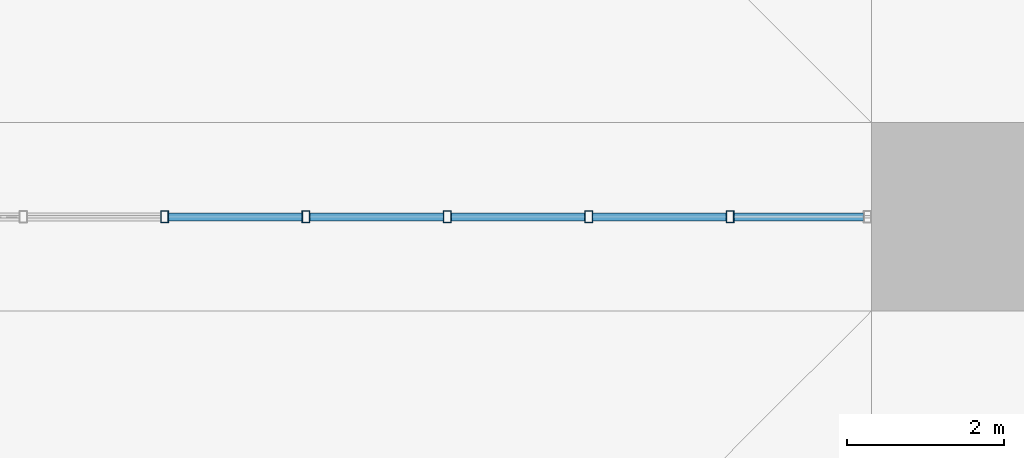
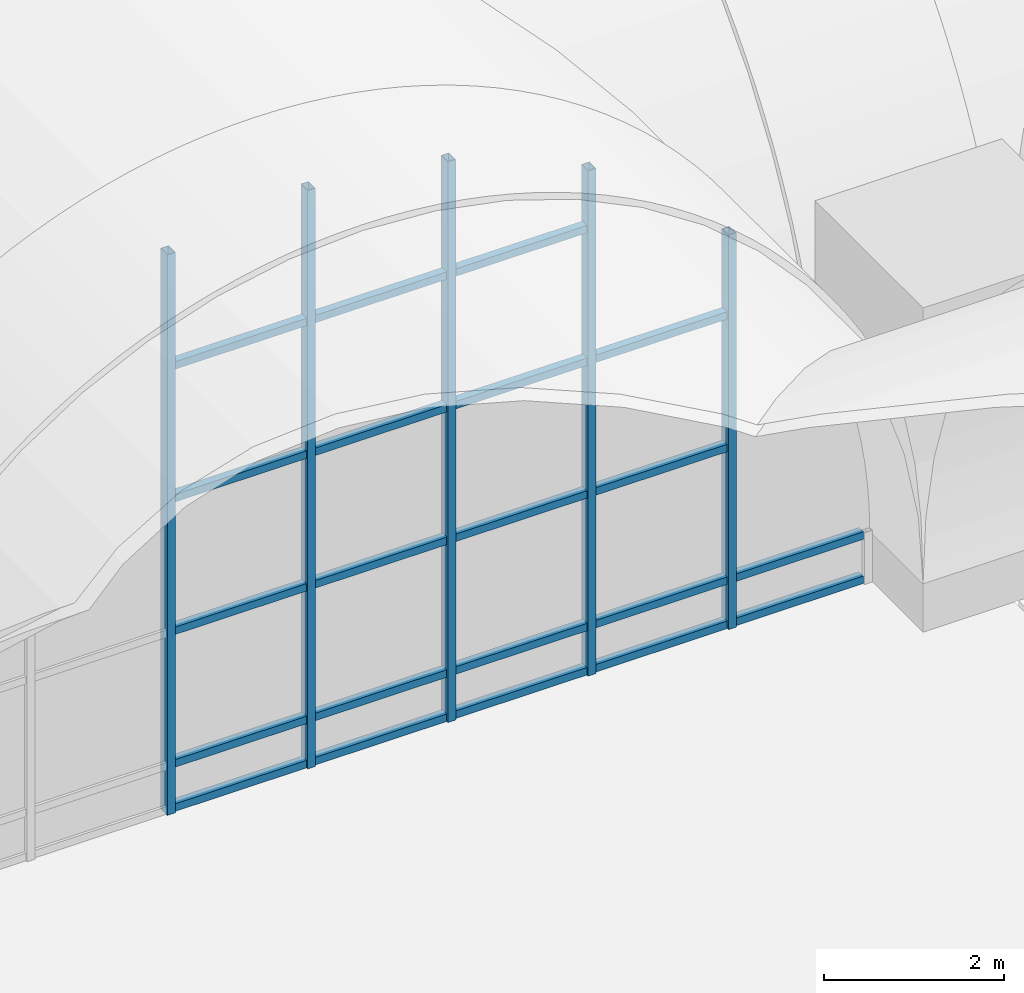
# One storey, part 25 of 169: 26 members, 1 element without a shape of its own.
"""IFC4 building model written with IfcOpenShell, lengths in metres."""

import ifcopenshell
import ifcopenshell.guid

model = None  # the IFC model being written
_history = None  # IfcOwnerHistory: only IFC2X3 demands one
_inside = {}  # id of a spatial element -> (the spatial element, [elements in it])
_under = {}  # id of a project, library or spatial element -> (it, [spatial elements below it])
_declared = {}  # id of a project -> (the project, [libraries it declares])
_typed = {}  # id of a type object -> (the type object, [elements of that type])
_made_of = {}  # id of a material, layer set ... -> (it, [elements and type objects made of it])


def new_model(schema):
    """Start an empty IFC model of exactly this schema.

    Asked for "IFC4X3", IfcOpenShell would pick the latest addendum, in which some entities
    have other attributes; the version numbers below select the first issue.
    IFC2X3 requires an IfcOwnerHistory on every rooted entity: one is made here for all.
    """
    global model, _history
    if schema == "IFC4X3":
        model = ifcopenshell.file(schema_version=(4, 3, 0, 0))
    else:
        model = ifcopenshell.file(schema=schema)
    _inside.clear()
    _under.clear()
    _declared.clear()
    _typed.clear()
    _made_of.clear()
    _history = None
    if model.schema == "IFC2X3":
        org = make("IfcOrganization", Name="unknown")
        user = make(
            "IfcPersonAndOrganization",
            ThePerson=make("IfcPerson", FamilyName="unknown"),
            TheOrganization=org,
        )
        app = make(
            "IfcApplication",
            ApplicationDeveloper=org,
            Version="unknown",
            ApplicationFullName="unknown",
            ApplicationIdentifier="unknown",
        )
        _history = make(
            "IfcOwnerHistory",
            OwningUser=user,
            OwningApplication=app,
            ChangeAction="ADDED",
            CreationDate=0,
        )
    return model


def make(cls, **values):
    """One entity of the class cls with the attributes given. An attribute that is None is left unset."""
    return model.create_entity(
        cls, **{name: value for name, value in values.items() if value is not None}
    )


def rooted(cls, **values):
    """An entity with a GlobalId (a new one), such as an element, a storey or a relation."""
    return make(cls, GlobalId=ifcopenshell.guid.new(), OwnerHistory=_history, **values)


def si_unit(unit_type, name, prefix=None):
    """IfcSIUnit, for example si_unit("LENGTHUNIT", "METRE", prefix="MILLI")."""
    return make("IfcSIUnit", UnitType=unit_type, Prefix=prefix, Name=name)


def assignment(units):
    """IfcUnitAssignment: the units of a project."""
    return None if units is None else make("IfcUnitAssignment", Units=units)


def point(xyz):
    """IfcCartesianPoint."""
    return None if xyz is None else make("IfcCartesianPoint", Coordinates=xyz)


def direction(xyz):
    """IfcDirection."""
    return None if xyz is None else make("IfcDirection", DirectionRatios=xyz)


def frame(location, z_axis=None, x_axis=None):
    """IfcAxis2Placement3D, a coordinate frame: its origin and axes. An axis left out is left unset."""
    return make(
        "IfcAxis2Placement3D",
        Location=point(location),
        Axis=direction(z_axis),
        RefDirection=direction(x_axis),
    )


def frame_2d(location, x_axis=None):
    """IfcAxis2Placement2D, a coordinate frame in the plane: its origin and x axis."""
    return make(
        "IfcAxis2Placement2D", Location=point(location), RefDirection=direction(x_axis)
    )


def origin():
    """The frame at (0, 0, 0) with its axes left unset."""
    return frame((0.0, 0.0, 0.0))


def origin_2d():
    """The frame at (0, 0) in the plane with its x axis left unset."""
    return frame_2d((0.0, 0.0))


def place(relative_to, where):
    """IfcLocalPlacement: puts the frame where relative to a parent placement (None: the world)."""
    return make(
        "IfcLocalPlacement", PlacementRelTo=relative_to, RelativePlacement=where
    )


def context(
    kind, dimensions, precision=None, world=None, true_north=None, identifier=None
):
    """IfcGeometricRepresentationContext, for example the 3D "Model" context."""
    return make(
        "IfcGeometricRepresentationContext",
        ContextIdentifier=identifier,
        ContextType=kind,
        CoordinateSpaceDimension=dimensions,
        Precision=precision,
        WorldCoordinateSystem=world,
        TrueNorth=true_north,
    )


def subcontext(parent, identifier, kind, view, scale=None):
    """IfcGeometricRepresentationSubContext, for example "Body" below "Model"."""
    return make(
        "IfcGeometricRepresentationSubContext",
        ContextIdentifier=identifier,
        ContextType=kind,
        ParentContext=parent,
        TargetScale=scale,
        TargetView=view,
    )


def project(units=None, contexts=None):
    """IfcProject with its units and contexts."""
    return rooted(
        "IfcProject",
        Name="project",
        RepresentationContexts=contexts,
        UnitsInContext=assignment(units),
    )


def spatial(cls, under=None, at=None, **own):
    """A site, building, storey or space (cls), placed at a placement, below another one or the project."""
    s = rooted(cls, ObjectPlacement=at, **own)
    if under is not None:
        _under.setdefault(under.id(), (under, []))[1].append(s)
    return s


def profile(cls, at=None, kind="AREA", **sizes):
    """A parametric profile (cls). Its sizes go by their IFC names, for example OverallWidth=200.0."""
    return make(cls, ProfileType=kind, Position=at, **sizes)


def hollow_rectangle(**sizes):
    """IfcRectangleHollowProfileDef."""
    return profile("IfcRectangleHollowProfileDef", **sizes)


def extrude(swept, where, along, depth):
    """IfcExtrudedAreaSolid: the profile swept, set in the frame where, extruded along a direction by depth."""
    return make(
        "IfcExtrudedAreaSolid",
        SweptArea=swept,
        Position=where,
        ExtrudedDirection=direction(along),
        Depth=depth,
    )


def shape(context_of_items, identifier, shape_type, items):
    """IfcShapeRepresentation: the items that make up one representation, for example the "Body"."""
    return make(
        "IfcShapeRepresentation",
        ContextOfItems=context_of_items,
        RepresentationIdentifier=identifier,
        RepresentationType=shape_type,
        Items=items,
    )


def material(Name=None, Category=None):
    """IfcMaterial."""
    return make("IfcMaterial", Name=Name, Category=Category)


def layer(
    of_material, thickness, ventilated=None, Name=None, Category=None, Priority=None
):
    """IfcMaterialLayer: one layer of a wall or slab, of a material (None: an air gap)."""
    return make(
        "IfcMaterialLayer",
        Material=of_material,
        LayerThickness=thickness,
        IsVentilated=ventilated,
        Name=Name,
        Category=Category,
        Priority=Priority,
    )


def layer_set(layers, Name=None):
    """IfcMaterialLayerSet."""
    return make("IfcMaterialLayerSet", MaterialLayers=layers, LayerSetName=Name)


def material_profile(
    of_material, cross_section, Name=None, Category=None, Priority=None
):
    """IfcMaterialProfile: a cross section and its material."""
    return make(
        "IfcMaterialProfile",
        Name=Name,
        Material=of_material,
        Profile=cross_section,
        Priority=Priority,
        Category=Category,
    )


def profile_set(profiles, Name=None, composite=None):
    """IfcMaterialProfileSet."""
    return make(
        "IfcMaterialProfileSet",
        Name=Name,
        MaterialProfiles=profiles,
        CompositeProfile=composite,
    )


def made_of(thing, what):
    """Note that an element or type object is made of a material, layer set ...; save() writes the relation."""
    if what is not None:
        _made_of.setdefault(what.id(), (what, []))[1].append(thing)
    return thing


def type_object(cls, material=None, **own):
    """A type object (cls), such as IfcWallType, which elements share."""
    return made_of(rooted(cls, **own), material)


def element(
    cls,
    number,
    at=None,
    inside=None,
    cuts=None,
    type_object=None,
    material=None,
    context=None,
    identifier="Body",
    shape_type=None,
    held_by="IfcProductDefinitionShape",
    body=None,
    shapes=None,
    **own,
):
    """One element of the class cls, such as IfcWall. Its Tag is "e" and its number.

    at: its placement. inside: the storey or other place that contains it. cuts: it is an
    opening in that element (IfcRelVoidsElement). A single representation is given by context,
    identifier, shape_type and body (its items); several are given by shapes. held_by: the class
    of the entity that holds the representations. save() writes the other relations.
    """
    e = rooted(cls, Tag="e%d" % number, ObjectPlacement=at, **own)
    if body is not None:
        shapes = [shape(context, identifier, shape_type, body)]
    if shapes is not None:
        e.Representation = make(held_by, Representations=shapes)
    if inside is not None:
        _inside.setdefault(inside.id(), (inside, []))[1].append(e)
    if cuts is not None:
        rooted(
            "IfcRelVoidsElement", RelatingBuildingElement=cuts, RelatedOpeningElement=e
        )
    if type_object is not None:
        _typed.setdefault(type_object.id(), (type_object, []))[1].append(e)
    return made_of(e, material)


def aggregate(whole, parts):
    """IfcRelAggregates: a whole, such as a stair, and the parts it consists of."""
    return rooted("IfcRelAggregates", RelatingObject=whole, RelatedObjects=parts)


def save(model, path):
    """Write the relations noted so far, then the file.

    IfcRelAggregates (storeys below a building ...), IfcRelContainedInSpatialStructure (elements
    in a storey), IfcRelDefinesByType, IfcRelAssociatesMaterial and IfcRelDeclares: one each for
    every whole, place, type object, material and project.
    """
    for whole, parts in _under.values():
        aggregate(whole, parts)
    for where, things in _inside.values():
        rooted(
            "IfcRelContainedInSpatialStructure",
            RelatedElements=things,
            RelatingStructure=where,
        )
    for kind, things in _typed.values():
        rooted("IfcRelDefinesByType", RelatedObjects=things, RelatingType=kind)
    for what, things in _made_of.values():
        rooted("IfcRelAssociatesMaterial", RelatedObjects=things, RelatingMaterial=what)
    for by, libraries in _declared.values():
        rooted("IfcRelDeclares", RelatingContext=by, RelatedDefinitions=libraries)
    model.write(path)


model = new_model("IFC4")

# Units and contexts
model_context = context("Model", 3, precision=1e-05, world=origin(), true_north=direction((0.0, 1.0)))
body_context = subcontext(model_context, "Body", "Model", "MODEL_VIEW")
ifc_project = project(units=[si_unit("LENGTHUNIT", "METRE"), si_unit("AREAUNIT", "SQUARE_METRE"), si_unit("VOLUMEUNIT", "CUBIC_METRE"), si_unit("PLANEANGLEUNIT", "RADIAN"), si_unit("MASSUNIT", "GRAM", prefix="KILO")], contexts=[model_context])

# Site, building, storey
site_placement = place(None, origin())
site = spatial("IfcSite", under=ifc_project, at=site_placement, CompositionType="ELEMENT")
building_placement = place(site_placement, origin())
building = spatial("IfcBuilding", under=site, at=building_placement, Name="Verrick Yard Athletic Hall", CompositionType="ELEMENT")
storey_placement = place(building_placement, frame((0.0, 0.0, 4.39990234375)))
storey = spatial("IfcBuildingStorey", under=building, at=storey_placement, Name="L01", CompositionType="ELEMENT", Elevation=4.39990234375)

# Curtain wall, members
ifc_material_1 = material(Name="Aluminium and glass curtain wall", Category="aluminium")
ifc_layer = layer(ifc_material_1, 0.14990234375)
ifc_layer_set = layer_set([ifc_layer], Name="Concourse arch screen")
curtain_wall_type = type_object("IfcCurtainWallType", Name="Concourse arch screen", PredefinedType="NOTDEFINED", material=ifc_layer_set)
curtain_wall_placement = place(storey_placement, origin())
curtain_wall = element("IfcCurtainWall", 1, at=curtain_wall_placement, inside=storey, type_object=curtain_wall_type, Name="Concourse screen 2", PredefinedType="NOTDEFINED")
ifc_material_2 = material(Name="Structural steel HSS Class C 350W (CSA G40.20/G40.21)", Category="steel")
ifc_material_profile_1 = material_profile(ifc_material_2, hollow_rectangle(XDim=0.1015625, YDim=0.15234375, WallThickness=0.008056640625, at=origin_2d()), Name="HSS152x102x7.9")
ifc_profile_set_1 = profile_set([ifc_material_profile_1], Name="Structural steel HSS Class C 350W (CSA G40.20/G40.21)")
member_type_1 = type_object("IfcMemberType", Name="Curtain wall mullion HSS152x102x7.9", PredefinedType="MULLION", material=ifc_profile_set_1)
member_1_placement = place(storey_placement, frame((63.39990234375, 36.0, 0.0), z_axis=(0.0, 0.0, 1.0), x_axis=(1.0, 0.0, 0.0)))
member_1 = element("IfcMember", 2, at=member_1_placement, type_object=member_type_1, Name="Concourse screen 2 mullion 4", PredefinedType="MULLION", context=body_context, shape_type="SweptSolid", body=[
    extrude(hollow_rectangle(XDim=0.1015625, YDim=0.15234375, WallThickness=0.008056640625, at=origin_2d()), origin(), (0.0, 0.0, 1.0), 7.607666015625),
])
member_2_placement = place(storey_placement, frame((65.199951171875, 36.0, 0.0), z_axis=(0.0, 0.0, 1.0), x_axis=(1.0, 0.0, 0.0)))
member_2 = element("IfcMember", 3, at=member_2_placement, type_object=member_type_1, Name="Concourse screen 2 mullion 5", PredefinedType="MULLION", context=body_context, shape_type="SweptSolid", body=[
    extrude(hollow_rectangle(XDim=0.1015625, YDim=0.15234375, WallThickness=0.008056640625, at=origin_2d()), origin(), (0.0, 0.0, 1.0), 7.8486328125),
])
member_3_placement = place(storey_placement, frame((67.0, 36.0, 0.0), z_axis=(0.0, 0.0, 1.0), x_axis=(1.0, 0.0, 0.0)))
member_3 = element("IfcMember", 4, at=member_3_placement, type_object=member_type_1, Name="Concourse screen 2 mullion 6", PredefinedType="MULLION", context=body_context, shape_type="SweptSolid", body=[
    extrude(hollow_rectangle(XDim=0.1015625, YDim=0.15234375, WallThickness=0.008056640625, at=origin_2d()), origin(), (0.0, 0.0, 1.0), 7.607666015625),
])
member_4_placement = place(storey_placement, frame((68.800048828125, 36.0, 0.0), z_axis=(0.0, 0.0, 1.0), x_axis=(1.0, 0.0, 0.0)))
member_4 = element("IfcMember", 5, at=member_4_placement, type_object=member_type_1, Name="Concourse screen 2 mullion 7", PredefinedType="MULLION", context=body_context, shape_type="SweptSolid", body=[
    extrude(hollow_rectangle(XDim=0.1015625, YDim=0.15234375, WallThickness=0.008056640625, at=origin_2d()), origin(), (0.0, 0.0, 1.0), 6.8544921875),
])
member_5_placement = place(storey_placement, frame((70.60009765625, 36.0, 0.0), z_axis=(0.0, 0.0, 1.0), x_axis=(1.0, 0.0, 0.0)))
member_5 = element("IfcMember", 6, at=member_5_placement, type_object=member_type_1, Name="Concourse screen 2 mullion 8", PredefinedType="MULLION", context=body_context, shape_type="SweptSolid", body=[
    extrude(hollow_rectangle(XDim=0.1015625, YDim=0.15234375, WallThickness=0.008056640625, at=origin_2d()), origin(), (0.0, 0.0, 1.0), 5.351806640625),
])
ifc_material_profile_2 = material_profile(ifc_material_2, hollow_rectangle(XDim=0.1015625, YDim=0.1015625, WallThickness=0.00634765625, at=origin_2d()), Name="HSS102x102x6.4")
ifc_profile_set_2 = profile_set([ifc_material_profile_2], Name="Structural steel HSS Class C 350W (CSA G40.20/G40.21)")
member_type_2 = type_object("IfcMemberType", Name="Curtain wall transom HSS102x102x6.4", PredefinedType="USERDEFINED", material=ifc_profile_set_2)
member_6_placement = place(storey_placement, frame((63.45068359375, 36.0, 0.05078125), z_axis=(1.0, 0.0, 0.0), x_axis=(0.0, 1.0, 0.0)))
member_6 = element("IfcMember", 7, at=member_6_placement, type_object=member_type_2, Name="Concourse screen 2 transom 12", ObjectType="TRANSOM", PredefinedType="USERDEFINED", context=body_context, shape_type="SweptSolid", body=[
    extrude(hollow_rectangle(XDim=0.1015625, YDim=0.1015625, WallThickness=0.00634765625, at=origin_2d()), origin(), (0.0, 0.0, 1.0), 1.698486328125),
])
member_7_placement = place(storey_placement, frame((63.45068359375, 36.0, 0.650146484375), z_axis=(1.0, 0.0, 0.0), x_axis=(0.0, 1.0, 0.0)))
member_7 = element("IfcMember", 8, at=member_7_placement, type_object=member_type_2, Name="Concourse screen 2 transom 13", ObjectType="TRANSOM", PredefinedType="USERDEFINED", context=body_context, shape_type="SweptSolid", body=[
    extrude(hollow_rectangle(XDim=0.1015625, YDim=0.1015625, WallThickness=0.00634765625, at=origin_2d()), origin(), (0.0, 0.0, 1.0), 1.698486328125),
])
member_8_placement = place(storey_placement, frame((63.45068359375, 36.0, 2.4501953125), z_axis=(1.0, 0.0, 0.0), x_axis=(0.0, 1.0, 0.0)))
member_8 = element("IfcMember", 9, at=member_8_placement, type_object=member_type_2, Name="Concourse screen 2 transom 14", ObjectType="TRANSOM", PredefinedType="USERDEFINED", context=body_context, shape_type="SweptSolid", body=[
    extrude(hollow_rectangle(XDim=0.1015625, YDim=0.1015625, WallThickness=0.00634765625, at=origin_2d()), origin(), (0.0, 0.0, 1.0), 1.698486328125),
])
member_9_placement = place(storey_placement, frame((63.45068359375, 36.0, 4.25), z_axis=(1.0, 0.0, 0.0), x_axis=(0.0, 1.0, 0.0)))
member_9 = element("IfcMember", 10, at=member_9_placement, type_object=member_type_2, Name="Concourse screen 2 transom 15", ObjectType="TRANSOM", PredefinedType="USERDEFINED", context=body_context, shape_type="SweptSolid", body=[
    extrude(hollow_rectangle(XDim=0.1015625, YDim=0.1015625, WallThickness=0.00634765625, at=origin_2d()), origin(), (0.0, 0.0, 1.0), 1.698486328125),
])
member_10_placement = place(storey_placement, frame((63.45068359375, 36.0, 6.050048828125), z_axis=(1.0, 0.0, 0.0), x_axis=(0.0, 1.0, 0.0)))
member_10 = element("IfcMember", 11, at=member_10_placement, type_object=member_type_2, Name="Concourse screen 2 transom 16", ObjectType="TRANSOM", PredefinedType="USERDEFINED", context=body_context, shape_type="SweptSolid", body=[
    extrude(hollow_rectangle(XDim=0.1015625, YDim=0.1015625, WallThickness=0.00634765625, at=origin_2d()), origin(), (0.0, 0.0, 1.0), 1.698486328125),
])
member_11_placement = place(storey_placement, frame((65.250732421875, 36.0, 0.05078125), z_axis=(1.0, 0.0, 0.0), x_axis=(0.0, 1.0, 0.0)))
member_11 = element("IfcMember", 12, at=member_11_placement, type_object=member_type_2, Name="Concourse screen 2 transom 17", ObjectType="TRANSOM", PredefinedType="USERDEFINED", context=body_context, shape_type="SweptSolid", body=[
    extrude(hollow_rectangle(XDim=0.1015625, YDim=0.1015625, WallThickness=0.00634765625, at=origin_2d()), origin(), (0.0, 0.0, 1.0), 1.698486328125),
])
member_12_placement = place(storey_placement, frame((65.250732421875, 36.0, 0.650146484375), z_axis=(1.0, 0.0, 0.0), x_axis=(0.0, 1.0, 0.0)))
member_12 = element("IfcMember", 13, at=member_12_placement, type_object=member_type_2, Name="Concourse screen 2 transom 18", ObjectType="TRANSOM", PredefinedType="USERDEFINED", context=body_context, shape_type="SweptSolid", body=[
    extrude(hollow_rectangle(XDim=0.1015625, YDim=0.1015625, WallThickness=0.00634765625, at=origin_2d()), origin(), (0.0, 0.0, 1.0), 1.698486328125),
])
member_13_placement = place(storey_placement, frame((65.250732421875, 36.0, 2.4501953125), z_axis=(1.0, 0.0, 0.0), x_axis=(0.0, 1.0, 0.0)))
member_13 = element("IfcMember", 14, at=member_13_placement, type_object=member_type_2, Name="Concourse screen 2 transom 19", ObjectType="TRANSOM", PredefinedType="USERDEFINED", context=body_context, shape_type="SweptSolid", body=[
    extrude(hollow_rectangle(XDim=0.1015625, YDim=0.1015625, WallThickness=0.00634765625, at=origin_2d()), origin(), (0.0, 0.0, 1.0), 1.698486328125),
])
member_14_placement = place(storey_placement, frame((65.250732421875, 36.0, 4.25), z_axis=(1.0, 0.0, 0.0), x_axis=(0.0, 1.0, 0.0)))
member_14 = element("IfcMember", 15, at=member_14_placement, type_object=member_type_2, Name="Concourse screen 2 transom 20", ObjectType="TRANSOM", PredefinedType="USERDEFINED", context=body_context, shape_type="SweptSolid", body=[
    extrude(hollow_rectangle(XDim=0.1015625, YDim=0.1015625, WallThickness=0.00634765625, at=origin_2d()), origin(), (0.0, 0.0, 1.0), 1.698486328125),
])
member_15_placement = place(storey_placement, frame((65.250732421875, 36.0, 6.050048828125), z_axis=(1.0, 0.0, 0.0), x_axis=(0.0, 1.0, 0.0)))
member_15 = element("IfcMember", 16, at=member_15_placement, type_object=member_type_2, Name="Concourse screen 2 transom 21", ObjectType="TRANSOM", PredefinedType="USERDEFINED", context=body_context, shape_type="SweptSolid", body=[
    extrude(hollow_rectangle(XDim=0.1015625, YDim=0.1015625, WallThickness=0.00634765625, at=origin_2d()), origin(), (0.0, 0.0, 1.0), 1.698486328125),
])
member_16_placement = place(storey_placement, frame((67.05078125, 36.0, 0.05078125), z_axis=(1.0, 0.0, 0.0), x_axis=(0.0, 1.0, 0.0)))
member_16 = element("IfcMember", 17, at=member_16_placement, type_object=member_type_2, Name="Concourse screen 2 transom 22", ObjectType="TRANSOM", PredefinedType="USERDEFINED", context=body_context, shape_type="SweptSolid", body=[
    extrude(hollow_rectangle(XDim=0.1015625, YDim=0.1015625, WallThickness=0.00634765625, at=origin_2d()), origin(), (0.0, 0.0, 1.0), 1.698486328125),
])
member_17_placement = place(storey_placement, frame((67.05078125, 36.0, 0.650146484375), z_axis=(1.0, 0.0, 0.0), x_axis=(0.0, 1.0, 0.0)))
member_17 = element("IfcMember", 18, at=member_17_placement, type_object=member_type_2, Name="Concourse screen 2 transom 23", ObjectType="TRANSOM", PredefinedType="USERDEFINED", context=body_context, shape_type="SweptSolid", body=[
    extrude(hollow_rectangle(XDim=0.1015625, YDim=0.1015625, WallThickness=0.00634765625, at=origin_2d()), origin(), (0.0, 0.0, 1.0), 1.698486328125),
])
member_18_placement = place(storey_placement, frame((67.05078125, 36.0, 2.4501953125), z_axis=(1.0, 0.0, 0.0), x_axis=(0.0, 1.0, 0.0)))
member_18 = element("IfcMember", 19, at=member_18_placement, type_object=member_type_2, Name="Concourse screen 2 transom 24", ObjectType="TRANSOM", PredefinedType="USERDEFINED", context=body_context, shape_type="SweptSolid", body=[
    extrude(hollow_rectangle(XDim=0.1015625, YDim=0.1015625, WallThickness=0.00634765625, at=origin_2d()), origin(), (0.0, 0.0, 1.0), 1.698486328125),
])
member_19_placement = place(storey_placement, frame((67.05078125, 36.0, 4.25), z_axis=(1.0, 0.0, 0.0), x_axis=(0.0, 1.0, 0.0)))
member_19 = element("IfcMember", 20, at=member_19_placement, type_object=member_type_2, Name="Concourse screen 2 transom 25", ObjectType="TRANSOM", PredefinedType="USERDEFINED", context=body_context, shape_type="SweptSolid", body=[
    extrude(hollow_rectangle(XDim=0.1015625, YDim=0.1015625, WallThickness=0.00634765625, at=origin_2d()), origin(), (0.0, 0.0, 1.0), 1.698486328125),
])
member_20_placement = place(storey_placement, frame((67.05078125, 36.0, 6.050048828125), z_axis=(1.0, 0.0, 0.0), x_axis=(0.0, 1.0, 0.0)))
member_20 = element("IfcMember", 21, at=member_20_placement, type_object=member_type_2, Name="Concourse screen 2 transom 26", ObjectType="TRANSOM", PredefinedType="USERDEFINED", context=body_context, shape_type="SweptSolid", body=[
    extrude(hollow_rectangle(XDim=0.1015625, YDim=0.1015625, WallThickness=0.00634765625, at=origin_2d()), origin(), (0.0, 0.0, 1.0), 1.698486328125),
])
member_21_placement = place(storey_placement, frame((68.850830078125, 36.0, 0.05078125), z_axis=(1.0, 0.0, 0.0), x_axis=(0.0, 1.0, 0.0)))
member_21 = element("IfcMember", 22, at=member_21_placement, type_object=member_type_2, Name="Concourse screen 2 transom 27", ObjectType="TRANSOM", PredefinedType="USERDEFINED", context=body_context, shape_type="SweptSolid", body=[
    extrude(hollow_rectangle(XDim=0.1015625, YDim=0.1015625, WallThickness=0.00634765625, at=origin_2d()), origin(), (0.0, 0.0, 1.0), 1.698486328125),
])
member_22_placement = place(storey_placement, frame((68.850830078125, 36.0, 0.650146484375), z_axis=(1.0, 0.0, 0.0), x_axis=(0.0, 1.0, 0.0)))
member_22 = element("IfcMember", 23, at=member_22_placement, type_object=member_type_2, Name="Concourse screen 2 transom 28", ObjectType="TRANSOM", PredefinedType="USERDEFINED", context=body_context, shape_type="SweptSolid", body=[
    extrude(hollow_rectangle(XDim=0.1015625, YDim=0.1015625, WallThickness=0.00634765625, at=origin_2d()), origin(), (0.0, 0.0, 1.0), 1.698486328125),
])
member_23_placement = place(storey_placement, frame((68.850830078125, 36.0, 2.4501953125), z_axis=(1.0, 0.0, 0.0), x_axis=(0.0, 1.0, 0.0)))
member_23 = element("IfcMember", 24, at=member_23_placement, type_object=member_type_2, Name="Concourse screen 2 transom 29", ObjectType="TRANSOM", PredefinedType="USERDEFINED", context=body_context, shape_type="SweptSolid", body=[
    extrude(hollow_rectangle(XDim=0.1015625, YDim=0.1015625, WallThickness=0.00634765625, at=origin_2d()), origin(), (0.0, 0.0, 1.0), 1.698486328125),
])
member_24_placement = place(storey_placement, frame((68.850830078125, 36.0, 4.25), z_axis=(1.0, 0.0, 0.0), x_axis=(0.0, 1.0, 0.0)))
member_24 = element("IfcMember", 25, at=member_24_placement, type_object=member_type_2, Name="Concourse screen 2 transom 30", ObjectType="TRANSOM", PredefinedType="USERDEFINED", context=body_context, shape_type="SweptSolid", body=[
    extrude(hollow_rectangle(XDim=0.1015625, YDim=0.1015625, WallThickness=0.00634765625, at=origin_2d()), origin(), (0.0, 0.0, 1.0), 1.698486328125),
])
member_25_placement = place(storey_placement, frame((70.65087890625, 36.0, 0.05078125), z_axis=(1.0, 0.0, 0.0), x_axis=(0.0, 1.0, 0.0)))
member_25 = element("IfcMember", 26, at=member_25_placement, type_object=member_type_2, Name="Concourse screen 2 transom 31", ObjectType="TRANSOM", PredefinedType="USERDEFINED", context=body_context, shape_type="SweptSolid", body=[
    extrude(hollow_rectangle(XDim=0.1015625, YDim=0.1015625, WallThickness=0.00634765625, at=origin_2d()), origin(), (0.0, 0.0, 1.0), 1.64697265625),
])
member_26_placement = place(storey_placement, frame((70.65087890625, 36.0, 0.650146484375), z_axis=(1.0, 0.0, 0.0), x_axis=(0.0, 1.0, 0.0)))
member_26 = element("IfcMember", 27, at=member_26_placement, type_object=member_type_2, Name="Concourse screen 2 transom 32", ObjectType="TRANSOM", PredefinedType="USERDEFINED", context=body_context, shape_type="SweptSolid", body=[
    extrude(hollow_rectangle(XDim=0.1015625, YDim=0.1015625, WallThickness=0.00634765625, at=origin_2d()), origin(), (0.0, 0.0, 1.0), 1.64697265625),
])
aggregate(curtain_wall, [member_1, member_2, member_3, member_4, member_5, member_6, member_7, member_8, member_9, member_10, member_11, member_12, member_13, member_14, member_15, member_16, member_17, member_18, member_19, member_20, member_21, member_22, member_23, member_24, member_25, member_26])

save(model, "model.ifc")
